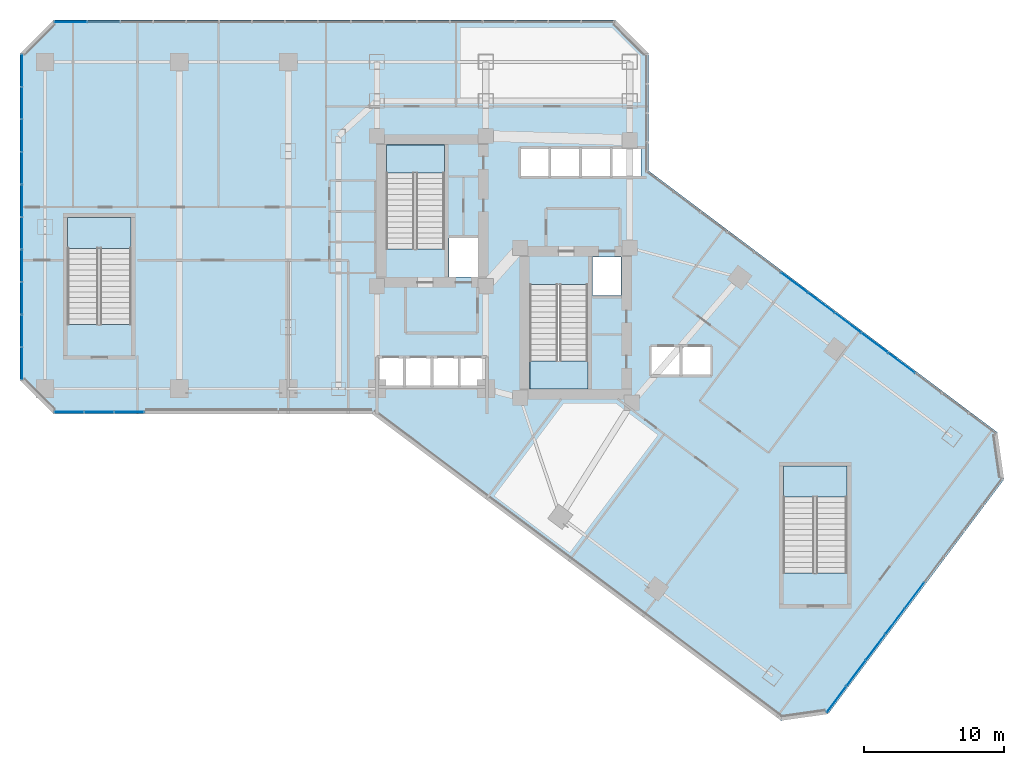
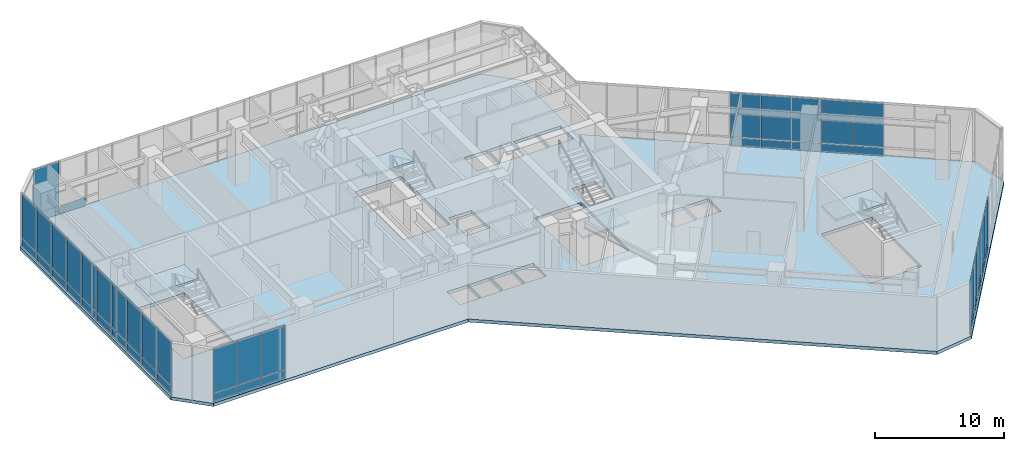
# One storey, part 24 of 35: 49 plates, 5 slabs, 9 elements without a shape of their own.
"""IFC4 building model written with IfcOpenShell, lengths in metres."""

from ifc_helpers import new_model, si_unit, direction, frame, origin, origin_2d, place, context, subcontext, project, spatial, polyline, rectangle, outline, extrude, material, layer, layer_set, type_object, element, aggregate, save


model = new_model("IFC4")

# Units and contexts
model_context = context("Model", 3, precision=1e-05, world=origin(), true_north=direction((0.0, 1.0)))
body_context = subcontext(model_context, "Body", "Model", "MODEL_VIEW")
ifc_project = project(units=[si_unit("LENGTHUNIT", "METRE"), si_unit("AREAUNIT", "SQUARE_METRE"), si_unit("VOLUMEUNIT", "CUBIC_METRE"), si_unit("PLANEANGLEUNIT", "RADIAN"), si_unit("MASSUNIT", "GRAM", prefix="KILO")], contexts=[model_context])

# Site, building, storey
site_placement = place(None, origin())
site = spatial("IfcSite", under=ifc_project, at=site_placement, CompositionType="ELEMENT")
building_placement = place(site_placement, origin())
building = spatial("IfcBuilding", under=site, at=building_placement, Name="Hatsunagi Terrace Concourse", CompositionType="ELEMENT")
storey_placement = place(building_placement, frame((0.0, 0.0, 16.199951171875)))
storey = spatial("IfcBuildingStorey", under=building, at=storey_placement, Name="L04", CompositionType="ELEMENT", Elevation=16.199951171875)

# Curtain wall, plates
ifc_material_1 = material(Name="Anodised Aluminium Alloy 6063-T5", Category="aluminium")
ifc_layer_1 = layer(ifc_material_1, 0.199951171875)
ifc_layer_set_1 = layer_set([ifc_layer_1], Name="PodiumStorefront_CW01")
curtain_wall_type = type_object("IfcCurtainWallType", Name="PodiumStorefront_CW01", PredefinedType="NOTDEFINED", material=ifc_layer_set_1)
curtain_wall_1_placement = place(storey_placement, origin())
curtain_wall_1 = element("IfcCurtainWall", 1, at=curtain_wall_1_placement, inside=storey, type_object=curtain_wall_type, Name="Unitised Curtain Wall CW-01 CW-L04-01", PredefinedType="NOTDEFINED")
ifc_material_2 = material(Name="Warm Terracotta Ceramic Spandrel Panel", Category="masonry")
ifc_layer_2 = layer(ifc_material_2, 0.031982421875)
ifc_layer_set_2 = layer_set([ifc_layer_2], Name="CurtainWallSpandrelPanel_32")
plate_type_1 = type_object("IfcPlateType", Name="CurtainWallSpandrelPanel_32", PredefinedType="SHEET", material=ifc_layer_set_2)
plate_1_placement = place(storey_placement, frame((55.424072265625, 32.806884765625, 0.030029296875), z_axis=(0.0, 0.0, 1.0), x_axis=(0.800007305671, -0.599990258982, 0.0)))
plate_1 = element("IfcPlate", 2, at=plate_1_placement, type_object=plate_type_1, Name="Terracotta Spandrel Panel SPN-01", PredefinedType="SHEET", context=body_context, shape_type="SweptSolid", body=[
    extrude(rectangle(XDim=2.345947265625, YDim=0.031982421875, at=origin_2d()), origin(), (0.0, 0.0, 1.0), 0.7900390625),
])
plate_2_placement = place(storey_placement, frame((57.344970703125, 31.365966796875, 0.030029296875), z_axis=(0.0, 0.0, 1.0), x_axis=(0.800007305671, -0.599990258982, 0.0)))
plate_2 = element("IfcPlate", 3, at=plate_2_placement, type_object=plate_type_1, Name="Terracotta Spandrel Panel SPN-01", PredefinedType="SHEET", context=body_context, shape_type="SweptSolid", body=[
    extrude(rectangle(XDim=2.345947265625, YDim=0.031982421875, at=origin_2d()), origin(), (0.0, 0.0, 1.0), 0.7900390625),
])
plate_3_placement = place(storey_placement, frame((59.26611328125, 29.926025390625, 0.030029296875), z_axis=(0.0, 0.0, 1.0), x_axis=(0.800007305671, -0.599990258982, 0.0)))
plate_3 = element("IfcPlate", 4, at=plate_3_placement, type_object=plate_type_1, Name="Terracotta Spandrel Panel SPN-01", PredefinedType="SHEET", context=body_context, shape_type="SweptSolid", body=[
    extrude(rectangle(XDim=2.345947265625, YDim=0.031982421875, at=origin_2d()), origin(), (0.0, 0.0, 1.0), 0.7900390625),
])
plate_4_placement = place(storey_placement, frame((61.18701171875, 28.485107421875, 0.030029296875), z_axis=(0.0, 0.0, 1.0), x_axis=(0.800007305671, -0.599990258982, 0.0)))
plate_4 = element("IfcPlate", 5, at=plate_4_placement, type_object=plate_type_1, Name="Terracotta Spandrel Panel SPN-01", PredefinedType="SHEET", context=body_context, shape_type="SweptSolid", body=[
    extrude(rectangle(XDim=2.345947265625, YDim=0.031982421875, at=origin_2d()), origin(), (0.0, 0.0, 1.0), 0.7900390625),
])
plate_5_placement = place(storey_placement, frame((63.10693359375, 27.044921875, 0.030029296875), z_axis=(0.0, 0.0, 1.0), x_axis=(0.800007305671, -0.599990258982, 0.0)))
plate_5 = element("IfcPlate", 6, at=plate_5_placement, type_object=plate_type_1, Name="Terracotta Spandrel Panel SPN-01", PredefinedType="SHEET", context=body_context, shape_type="SweptSolid", body=[
    extrude(rectangle(XDim=2.345947265625, YDim=0.031982421875, at=origin_2d()), origin(), (0.0, 0.0, 1.0), 0.7900390625),
])

curtain_wall_2_placement = place(storey_placement, origin())
curtain_wall_2 = element("IfcCurtainWall", 7, at=curtain_wall_2_placement, inside=storey, type_object=curtain_wall_type, Name="Unitised Curtain Wall CW-01 CW-L04-03", PredefinedType="NOTDEFINED")
plate_6_placement = place(storey_placement, frame((64.028076171875, 10.404052734375, 0.030029296875), z_axis=(0.0, 0.0, 1.0), x_axis=(-0.599969314634, -0.800023013105, 0.0)))
plate_6 = element("IfcPlate", 8, at=plate_6_placement, type_object=plate_type_1, Name="Terracotta Spandrel Panel SPN-01", PredefinedType="SHEET", context=body_context, shape_type="SweptSolid", body=[
    extrude(rectangle(XDim=2.264892578125, YDim=0.031982421875, at=origin_2d()), origin(), (0.0, 0.0, 1.0), 0.7900390625),
])
plate_7_placement = place(storey_placement, frame((62.635986328125, 8.548095703125, 0.030029296875), z_axis=(0.0, 0.0, 1.0), x_axis=(-0.599969314634, -0.800023013105, 0.0)))
plate_7 = element("IfcPlate", 9, at=plate_7_placement, type_object=plate_type_1, Name="Terracotta Spandrel Panel SPN-01", PredefinedType="SHEET", context=body_context, shape_type="SweptSolid", body=[
    extrude(rectangle(XDim=2.264892578125, YDim=0.031982421875, at=origin_2d()), origin(), (0.0, 0.0, 1.0), 0.7900390625),
])
plate_8_placement = place(storey_placement, frame((61.243896484375, 6.69091796875, 0.030029296875), z_axis=(0.0, 0.0, 1.0), x_axis=(-0.599969314634, -0.800023013105, 0.0)))
plate_8 = element("IfcPlate", 10, at=plate_8_placement, type_object=plate_type_1, Name="Terracotta Spandrel Panel SPN-01", PredefinedType="SHEET", context=body_context, shape_type="SweptSolid", body=[
    extrude(rectangle(XDim=2.264892578125, YDim=0.031982421875, at=origin_2d()), origin(), (0.0, 0.0, 1.0), 0.7900390625),
])
plate_9_placement = place(storey_placement, frame((59.85107421875, 4.8349609375, 0.030029296875), z_axis=(0.0, 0.0, 1.0), x_axis=(-0.599969314634, -0.800023013105, 0.0)))
plate_9 = element("IfcPlate", 11, at=plate_9_placement, type_object=plate_type_1, Name="Terracotta Spandrel Panel SPN-01", PredefinedType="SHEET", context=body_context, shape_type="SweptSolid", body=[
    extrude(rectangle(XDim=2.264892578125, YDim=0.031982421875, at=origin_2d()), origin(), (0.0, 0.0, 1.0), 0.7900390625),
])
plate_10_placement = place(storey_placement, frame((58.458984375, 2.97802734375, 0.030029296875), z_axis=(0.0, 0.0, 1.0), x_axis=(-0.599969314634, -0.800023013105, 0.0)))
plate_10 = element("IfcPlate", 12, at=plate_10_placement, type_object=plate_type_1, Name="Terracotta Spandrel Panel SPN-01", PredefinedType="SHEET", context=body_context, shape_type="SweptSolid", body=[
    extrude(rectangle(XDim=2.264892578125, YDim=0.031982421875, at=origin_2d()), origin(), (0.0, 0.0, 1.0), 0.7900390625),
])

curtain_wall_3_placement = place(storey_placement, origin())
curtain_wall_3 = element("IfcCurtainWall", 13, at=curtain_wall_3_placement, inside=storey, type_object=curtain_wall_type, Name="Unitised Curtain Wall CW-01 CW-L04-08", PredefinedType="NOTDEFINED")
plate_11_placement = place(storey_placement, frame((7.825927734375, 23.5400390625, 0.030029296875), z_axis=(0.0, 0.0, 1.0), x_axis=(-1.0, 0.0, 0.0)))
plate_11 = element("IfcPlate", 14, at=plate_11_placement, type_object=plate_type_1, Name="Terracotta Spandrel Panel SPN-01", PredefinedType="SHEET", context=body_context, shape_type="SweptSolid", body=[
    extrude(rectangle(XDim=2.092041015625, YDim=0.031982421875, at=origin_2d()), origin(), (0.0, 0.0, 1.0), 0.7900390625),
])
plate_12_placement = place(storey_placement, frame((5.678955078125, 23.5400390625, 0.030029296875), z_axis=(0.0, 0.0, 1.0), x_axis=(-1.0, 0.0, 0.0)))
plate_12 = element("IfcPlate", 15, at=plate_12_placement, type_object=plate_type_1, Name="Terracotta Spandrel Panel SPN-01", PredefinedType="SHEET", context=body_context, shape_type="SweptSolid", body=[
    extrude(rectangle(XDim=2.092041015625, YDim=0.031982421875, at=origin_2d()), origin(), (0.0, 0.0, 1.0), 0.7900390625),
])
plate_13_placement = place(storey_placement, frame((3.531982421875, 23.5400390625, 0.030029296875), z_axis=(0.0, 0.0, 1.0), x_axis=(-1.0, 0.0, 0.0)))
plate_13 = element("IfcPlate", 16, at=plate_13_placement, type_object=plate_type_1, Name="Terracotta Spandrel Panel SPN-01", PredefinedType="SHEET", context=body_context, shape_type="SweptSolid", body=[
    extrude(rectangle(XDim=2.092041015625, YDim=0.031982421875, at=origin_2d()), origin(), (0.0, 0.0, 1.0), 0.7900390625),
])

curtain_wall_4_placement = place(storey_placement, origin())
curtain_wall_4 = element("IfcCurtainWall", 17, at=curtain_wall_4_placement, inside=storey, type_object=curtain_wall_type, Name="Unitised Curtain Wall CW-01 CW-L04-10", PredefinedType="NOTDEFINED")
plate_14_placement = place(storey_placement, frame((0.139892578125, 27.02197265625, 0.030029296875), z_axis=(0.0, 0.0, 1.0), x_axis=(0.0, 1.0, 0.0)))
plate_14 = element("IfcPlate", 18, at=plate_14_placement, type_object=plate_type_1, Name="Terracotta Spandrel Panel SPN-01", PredefinedType="SHEET", context=body_context, shape_type="SweptSolid", body=[
    extrude(rectangle(XDim=2.27294921875, YDim=0.031982421875, at=origin_2d()), origin(), (0.0, 0.0, 1.0), 0.7900390625),
])
plate_15_placement = place(storey_placement, frame((0.139892578125, 29.35107421875, 0.030029296875), z_axis=(0.0, 0.0, 1.0), x_axis=(0.0, 1.0, 0.0)))
plate_15 = element("IfcPlate", 19, at=plate_15_placement, type_object=plate_type_1, Name="Terracotta Spandrel Panel SPN-01", PredefinedType="SHEET", context=body_context, shape_type="SweptSolid", body=[
    extrude(rectangle(XDim=2.27294921875, YDim=0.031982421875, at=origin_2d()), origin(), (0.0, 0.0, 1.0), 0.7900390625),
])
plate_16_placement = place(storey_placement, frame((0.139892578125, 31.678955078125, 0.030029296875), z_axis=(0.0, 0.0, 1.0), x_axis=(0.0, 1.0, 0.0)))
plate_16 = element("IfcPlate", 20, at=plate_16_placement, type_object=plate_type_1, Name="Terracotta Spandrel Panel SPN-01", PredefinedType="SHEET", context=body_context, shape_type="SweptSolid", body=[
    extrude(rectangle(XDim=2.27294921875, YDim=0.031982421875, at=origin_2d()), origin(), (0.0, 0.0, 1.0), 0.7900390625),
])
plate_17_placement = place(storey_placement, frame((0.139892578125, 34.007080078125, 0.030029296875), z_axis=(0.0, 0.0, 1.0), x_axis=(0.0, 1.0, 0.0)))
plate_17 = element("IfcPlate", 21, at=plate_17_placement, type_object=plate_type_1, Name="Terracotta Spandrel Panel SPN-01", PredefinedType="SHEET", context=body_context, shape_type="SweptSolid", body=[
    extrude(rectangle(XDim=2.27294921875, YDim=0.031982421875, at=origin_2d()), origin(), (0.0, 0.0, 1.0), 0.7900390625),
])
plate_18_placement = place(storey_placement, frame((0.139892578125, 36.3359375, 0.030029296875), z_axis=(0.0, 0.0, 1.0), x_axis=(0.0, 1.0, 0.0)))
plate_18 = element("IfcPlate", 22, at=plate_18_placement, type_object=plate_type_1, Name="Terracotta Spandrel Panel SPN-01", PredefinedType="SHEET", context=body_context, shape_type="SweptSolid", body=[
    extrude(rectangle(XDim=2.27294921875, YDim=0.031982421875, at=origin_2d()), origin(), (0.0, 0.0, 1.0), 0.7900390625),
])
plate_19_placement = place(storey_placement, frame((0.139892578125, 38.6640625, 0.030029296875), z_axis=(0.0, 0.0, 1.0), x_axis=(0.0, 1.0, 0.0)))
plate_19 = element("IfcPlate", 23, at=plate_19_placement, type_object=plate_type_1, Name="Terracotta Spandrel Panel SPN-01", PredefinedType="SHEET", context=body_context, shape_type="SweptSolid", body=[
    extrude(rectangle(XDim=2.27294921875, YDim=0.031982421875, at=origin_2d()), origin(), (0.0, 0.0, 1.0), 0.7900390625),
])
plate_20_placement = place(storey_placement, frame((0.139892578125, 40.992919921875, 0.030029296875), z_axis=(0.0, 0.0, 1.0), x_axis=(0.0, 1.0, 0.0)))
plate_20 = element("IfcPlate", 24, at=plate_20_placement, type_object=plate_type_1, Name="Terracotta Spandrel Panel SPN-01", PredefinedType="SHEET", context=body_context, shape_type="SweptSolid", body=[
    extrude(rectangle(XDim=2.27294921875, YDim=0.031982421875, at=origin_2d()), origin(), (0.0, 0.0, 1.0), 0.7900390625),
])
plate_21_placement = place(storey_placement, frame((0.139892578125, 43.321044921875, 0.030029296875), z_axis=(0.0, 0.0, 1.0), x_axis=(0.0, 1.0, 0.0)))
plate_21 = element("IfcPlate", 25, at=plate_21_placement, type_object=plate_type_1, Name="Terracotta Spandrel Panel SPN-01", PredefinedType="SHEET", context=body_context, shape_type="SweptSolid", body=[
    extrude(rectangle(XDim=2.27294921875, YDim=0.031982421875, at=origin_2d()), origin(), (0.0, 0.0, 1.0), 0.7900390625),
])
plate_22_placement = place(storey_placement, frame((0.139892578125, 45.64892578125, 0.030029296875), z_axis=(0.0, 0.0, 1.0), x_axis=(0.0, 1.0, 0.0)))
plate_22 = element("IfcPlate", 26, at=plate_22_placement, type_object=plate_type_1, Name="Terracotta Spandrel Panel SPN-01", PredefinedType="SHEET", context=body_context, shape_type="SweptSolid", body=[
    extrude(rectangle(XDim=2.27294921875, YDim=0.031982421875, at=origin_2d()), origin(), (0.0, 0.0, 1.0), 0.7900390625),
])
plate_23_placement = place(storey_placement, frame((0.139892578125, 47.97802734375, 0.030029296875), z_axis=(0.0, 0.0, 1.0), x_axis=(0.0, 1.0, 0.0)))
plate_23 = element("IfcPlate", 27, at=plate_23_placement, type_object=plate_type_1, Name="Terracotta Spandrel Panel SPN-01", PredefinedType="SHEET", context=body_context, shape_type="SweptSolid", body=[
    extrude(rectangle(XDim=2.27294921875, YDim=0.031982421875, at=origin_2d()), origin(), (0.0, 0.0, 1.0), 0.7900390625),
])

curtain_wall_5_placement = place(storey_placement, origin())
curtain_wall_5 = element("IfcCurtainWall", 28, at=curtain_wall_5_placement, inside=storey, type_object=curtain_wall_type, Name="Unitised Curtain Wall CW-01 CW-L04-12", PredefinedType="NOTDEFINED")
plate_24_placement = place(storey_placement, frame((3.636962890625, 51.4599609375, 0.030029296875), z_axis=(0.0, 0.0, 1.0), x_axis=(1.0, 0.0, 0.0)))
plate_24 = element("IfcPlate", 29, at=plate_24_placement, type_object=plate_type_1, Name="Terracotta Spandrel Panel SPN-01", PredefinedType="SHEET", context=body_context, shape_type="SweptSolid", body=[
    extrude(rectangle(XDim=2.302978515625, YDim=0.031982421875, at=origin_2d()), origin(), (0.0, 0.0, 1.0), 0.7900390625),
])
plate_25_placement = place(storey_placement, frame((5.9951171875, 51.4599609375, 0.030029296875), z_axis=(0.0, 0.0, 1.0), x_axis=(1.0, 0.0, 0.0)))
plate_25 = element("IfcPlate", 30, at=plate_25_placement, type_object=plate_type_1, Name="Terracotta Spandrel Panel SPN-01", PredefinedType="SHEET", context=body_context, shape_type="SweptSolid", body=[
    extrude(rectangle(XDim=2.302978515625, YDim=0.031982421875, at=origin_2d()), origin(), (0.0, 0.0, 1.0), 0.7900390625),
])

# Plate
ifc_material_3 = material(Name="Low-E Double Insulating Glass 28mm", Category="glass")
ifc_layer_3 = layer(ifc_material_3, 0.028076171875)
ifc_layer_set_3 = layer_set([ifc_layer_3], Name="CurtainWallVisionGlass_28")
plate_type_2 = type_object("IfcPlateType", Name="CurtainWallVisionGlass_28", PredefinedType="CURTAIN_PANEL", material=ifc_layer_set_3)
plate_26_placement = place(storey_placement, frame((55.424072265625, 32.806884765625, 0.880126953125), z_axis=(0.0, 0.0, 1.0), x_axis=(0.800007305671, -0.599990258982, 0.0)))
plate_26 = element("IfcPlate", 31, at=plate_26_placement, type_object=plate_type_2, Name="Low-E Vision Glass Panel GLZ-01", PredefinedType="CURTAIN_PANEL", context=body_context, shape_type="SweptSolid", body=[
    extrude(rectangle(XDim=2.345947265625, YDim=0.028076171875, at=origin_2d()), origin(), (0.0, 0.0, 1.0), 4.18994140625),
])

plate_27_placement = place(storey_placement, frame((57.344970703125, 31.365966796875, 0.880126953125), z_axis=(0.0, 0.0, 1.0), x_axis=(0.800007305671, -0.599990258982, 0.0)))
plate_27 = element("IfcPlate", 32, at=plate_27_placement, type_object=plate_type_2, Name="Low-E Vision Glass Panel GLZ-01", PredefinedType="CURTAIN_PANEL", context=body_context, shape_type="SweptSolid", body=[
    extrude(rectangle(XDim=2.345947265625, YDim=0.028076171875, at=origin_2d()), origin(), (0.0, 0.0, 1.0), 4.18994140625),
])

plate_28_placement = place(storey_placement, frame((59.26611328125, 29.926025390625, 0.880126953125), z_axis=(0.0, 0.0, 1.0), x_axis=(0.800007305671, -0.599990258982, 0.0)))
plate_28 = element("IfcPlate", 33, at=plate_28_placement, type_object=plate_type_2, Name="Low-E Vision Glass Panel GLZ-01", PredefinedType="CURTAIN_PANEL", context=body_context, shape_type="SweptSolid", body=[
    extrude(rectangle(XDim=2.345947265625, YDim=0.028076171875, at=origin_2d()), origin(), (0.0, 0.0, 1.0), 4.18994140625),
])

plate_29_placement = place(storey_placement, frame((61.18701171875, 28.485107421875, 0.880126953125), z_axis=(0.0, 0.0, 1.0), x_axis=(0.800007305671, -0.599990258982, 0.0)))
plate_29 = element("IfcPlate", 34, at=plate_29_placement, type_object=plate_type_2, Name="Low-E Vision Glass Panel GLZ-01", PredefinedType="CURTAIN_PANEL", context=body_context, shape_type="SweptSolid", body=[
    extrude(rectangle(XDim=2.345947265625, YDim=0.028076171875, at=origin_2d()), origin(), (0.0, 0.0, 1.0), 4.18994140625),
])

plate_30_placement = place(storey_placement, frame((63.10693359375, 27.044921875, 0.880126953125), z_axis=(0.0, 0.0, 1.0), x_axis=(0.800007305671, -0.599990258982, 0.0)))
plate_30 = element("IfcPlate", 35, at=plate_30_placement, type_object=plate_type_2, Name="Low-E Vision Glass Panel GLZ-01", PredefinedType="CURTAIN_PANEL", context=body_context, shape_type="SweptSolid", body=[
    extrude(rectangle(XDim=2.345947265625, YDim=0.028076171875, at=origin_2d()), origin(), (0.0, 0.0, 1.0), 4.18994140625),
])

aggregate(curtain_wall_1, [plate_1, plate_26, plate_2, plate_27, plate_3, plate_28, plate_4, plate_29, plate_5, plate_30])

plate_31_placement = place(storey_placement, frame((64.028076171875, 10.404052734375, 0.880126953125), z_axis=(0.0, 0.0, 1.0), x_axis=(-0.599969314634, -0.800023013105, 0.0)))
plate_31 = element("IfcPlate", 36, at=plate_31_placement, type_object=plate_type_2, Name="Low-E Vision Glass Panel GLZ-01", PredefinedType="CURTAIN_PANEL", context=body_context, shape_type="SweptSolid", body=[
    extrude(rectangle(XDim=2.264892578125, YDim=0.028076171875, at=origin_2d()), origin(), (0.0, 0.0, 1.0), 4.18994140625),
])

plate_32_placement = place(storey_placement, frame((62.635986328125, 8.548095703125, 0.880126953125), z_axis=(0.0, 0.0, 1.0), x_axis=(-0.599969314634, -0.800023013105, 0.0)))
plate_32 = element("IfcPlate", 37, at=plate_32_placement, type_object=plate_type_2, Name="Low-E Vision Glass Panel GLZ-01", PredefinedType="CURTAIN_PANEL", context=body_context, shape_type="SweptSolid", body=[
    extrude(rectangle(XDim=2.264892578125, YDim=0.028076171875, at=origin_2d()), origin(), (0.0, 0.0, 1.0), 4.18994140625),
])

plate_33_placement = place(storey_placement, frame((61.243896484375, 6.69091796875, 0.880126953125), z_axis=(0.0, 0.0, 1.0), x_axis=(-0.599969314634, -0.800023013105, 0.0)))
plate_33 = element("IfcPlate", 38, at=plate_33_placement, type_object=plate_type_2, Name="Low-E Vision Glass Panel GLZ-01", PredefinedType="CURTAIN_PANEL", context=body_context, shape_type="SweptSolid", body=[
    extrude(rectangle(XDim=2.264892578125, YDim=0.028076171875, at=origin_2d()), origin(), (0.0, 0.0, 1.0), 4.18994140625),
])

plate_34_placement = place(storey_placement, frame((59.85107421875, 4.8349609375, 0.880126953125), z_axis=(0.0, 0.0, 1.0), x_axis=(-0.599969314634, -0.800023013105, 0.0)))
plate_34 = element("IfcPlate", 39, at=plate_34_placement, type_object=plate_type_2, Name="Low-E Vision Glass Panel GLZ-01", PredefinedType="CURTAIN_PANEL", context=body_context, shape_type="SweptSolid", body=[
    extrude(rectangle(XDim=2.264892578125, YDim=0.028076171875, at=origin_2d()), origin(), (0.0, 0.0, 1.0), 4.18994140625),
])

plate_35_placement = place(storey_placement, frame((58.458984375, 2.97802734375, 0.880126953125), z_axis=(0.0, 0.0, 1.0), x_axis=(-0.599969314634, -0.800023013105, 0.0)))
plate_35 = element("IfcPlate", 40, at=plate_35_placement, type_object=plate_type_2, Name="Low-E Vision Glass Panel GLZ-01", PredefinedType="CURTAIN_PANEL", context=body_context, shape_type="SweptSolid", body=[
    extrude(rectangle(XDim=2.264892578125, YDim=0.028076171875, at=origin_2d()), origin(), (0.0, 0.0, 1.0), 4.18994140625),
])

aggregate(curtain_wall_2, [plate_6, plate_31, plate_7, plate_32, plate_8, plate_33, plate_9, plate_34, plate_10, plate_35])

plate_36_placement = place(storey_placement, frame((7.825927734375, 23.5400390625, 0.880126953125), z_axis=(0.0, 0.0, 1.0), x_axis=(-1.0, 0.0, 0.0)))
plate_36 = element("IfcPlate", 41, at=plate_36_placement, type_object=plate_type_2, Name="Low-E Vision Glass Panel GLZ-01", PredefinedType="CURTAIN_PANEL", context=body_context, shape_type="SweptSolid", body=[
    extrude(rectangle(XDim=2.092041015625, YDim=0.028076171875, at=origin_2d()), origin(), (0.0, 0.0, 1.0), 4.18994140625),
])

plate_37_placement = place(storey_placement, frame((5.678955078125, 23.5400390625, 0.880126953125), z_axis=(0.0, 0.0, 1.0), x_axis=(-1.0, 0.0, 0.0)))
plate_37 = element("IfcPlate", 42, at=plate_37_placement, type_object=plate_type_2, Name="Low-E Vision Glass Panel GLZ-01", PredefinedType="CURTAIN_PANEL", context=body_context, shape_type="SweptSolid", body=[
    extrude(rectangle(XDim=2.092041015625, YDim=0.028076171875, at=origin_2d()), origin(), (0.0, 0.0, 1.0), 4.18994140625),
])

plate_38_placement = place(storey_placement, frame((3.531982421875, 23.5400390625, 0.880126953125), z_axis=(0.0, 0.0, 1.0), x_axis=(-1.0, 0.0, 0.0)))
plate_38 = element("IfcPlate", 43, at=plate_38_placement, type_object=plate_type_2, Name="Low-E Vision Glass Panel GLZ-01", PredefinedType="CURTAIN_PANEL", context=body_context, shape_type="SweptSolid", body=[
    extrude(rectangle(XDim=2.092041015625, YDim=0.028076171875, at=origin_2d()), origin(), (0.0, 0.0, 1.0), 4.18994140625),
])

aggregate(curtain_wall_3, [plate_11, plate_36, plate_12, plate_37, plate_13, plate_38])

plate_39_placement = place(storey_placement, frame((0.139892578125, 27.02197265625, 0.880126953125), z_axis=(0.0, 0.0, 1.0), x_axis=(0.0, 1.0, 0.0)))
plate_39 = element("IfcPlate", 44, at=plate_39_placement, type_object=plate_type_2, Name="Low-E Vision Glass Panel GLZ-01", PredefinedType="CURTAIN_PANEL", context=body_context, shape_type="SweptSolid", body=[
    extrude(rectangle(XDim=2.27294921875, YDim=0.028076171875, at=origin_2d()), origin(), (0.0, 0.0, 1.0), 4.18994140625),
])

plate_40_placement = place(storey_placement, frame((0.139892578125, 29.35107421875, 0.880126953125), z_axis=(0.0, 0.0, 1.0), x_axis=(0.0, 1.0, 0.0)))
plate_40 = element("IfcPlate", 45, at=plate_40_placement, type_object=plate_type_2, Name="Low-E Vision Glass Panel GLZ-01", PredefinedType="CURTAIN_PANEL", context=body_context, shape_type="SweptSolid", body=[
    extrude(rectangle(XDim=2.27294921875, YDim=0.028076171875, at=origin_2d()), origin(), (0.0, 0.0, 1.0), 4.18994140625),
])

plate_41_placement = place(storey_placement, frame((0.139892578125, 31.678955078125, 0.880126953125), z_axis=(0.0, 0.0, 1.0), x_axis=(0.0, 1.0, 0.0)))
plate_41 = element("IfcPlate", 46, at=plate_41_placement, type_object=plate_type_2, Name="Low-E Vision Glass Panel GLZ-01", PredefinedType="CURTAIN_PANEL", context=body_context, shape_type="SweptSolid", body=[
    extrude(rectangle(XDim=2.27294921875, YDim=0.028076171875, at=origin_2d()), origin(), (0.0, 0.0, 1.0), 4.18994140625),
])

plate_42_placement = place(storey_placement, frame((0.139892578125, 34.007080078125, 0.880126953125), z_axis=(0.0, 0.0, 1.0), x_axis=(0.0, 1.0, 0.0)))
plate_42 = element("IfcPlate", 47, at=plate_42_placement, type_object=plate_type_2, Name="Low-E Vision Glass Panel GLZ-01", PredefinedType="CURTAIN_PANEL", context=body_context, shape_type="SweptSolid", body=[
    extrude(rectangle(XDim=2.27294921875, YDim=0.028076171875, at=origin_2d()), origin(), (0.0, 0.0, 1.0), 4.18994140625),
])

plate_43_placement = place(storey_placement, frame((0.139892578125, 36.3359375, 0.880126953125), z_axis=(0.0, 0.0, 1.0), x_axis=(0.0, 1.0, 0.0)))
plate_43 = element("IfcPlate", 48, at=plate_43_placement, type_object=plate_type_2, Name="Low-E Vision Glass Panel GLZ-01", PredefinedType="CURTAIN_PANEL", context=body_context, shape_type="SweptSolid", body=[
    extrude(rectangle(XDim=2.27294921875, YDim=0.028076171875, at=origin_2d()), origin(), (0.0, 0.0, 1.0), 4.18994140625),
])

plate_44_placement = place(storey_placement, frame((0.139892578125, 38.6640625, 0.880126953125), z_axis=(0.0, 0.0, 1.0), x_axis=(0.0, 1.0, 0.0)))
plate_44 = element("IfcPlate", 49, at=plate_44_placement, type_object=plate_type_2, Name="Low-E Vision Glass Panel GLZ-01", PredefinedType="CURTAIN_PANEL", context=body_context, shape_type="SweptSolid", body=[
    extrude(rectangle(XDim=2.27294921875, YDim=0.028076171875, at=origin_2d()), origin(), (0.0, 0.0, 1.0), 4.18994140625),
])

plate_45_placement = place(storey_placement, frame((0.139892578125, 40.992919921875, 0.880126953125), z_axis=(0.0, 0.0, 1.0), x_axis=(0.0, 1.0, 0.0)))
plate_45 = element("IfcPlate", 50, at=plate_45_placement, type_object=plate_type_2, Name="Low-E Vision Glass Panel GLZ-01", PredefinedType="CURTAIN_PANEL", context=body_context, shape_type="SweptSolid", body=[
    extrude(rectangle(XDim=2.27294921875, YDim=0.028076171875, at=origin_2d()), origin(), (0.0, 0.0, 1.0), 4.18994140625),
])

plate_46_placement = place(storey_placement, frame((0.139892578125, 43.321044921875, 0.880126953125), z_axis=(0.0, 0.0, 1.0), x_axis=(0.0, 1.0, 0.0)))
plate_46 = element("IfcPlate", 51, at=plate_46_placement, type_object=plate_type_2, Name="Low-E Vision Glass Panel GLZ-01", PredefinedType="CURTAIN_PANEL", context=body_context, shape_type="SweptSolid", body=[
    extrude(rectangle(XDim=2.27294921875, YDim=0.028076171875, at=origin_2d()), origin(), (0.0, 0.0, 1.0), 4.18994140625),
])

plate_47_placement = place(storey_placement, frame((0.139892578125, 45.64892578125, 0.880126953125), z_axis=(0.0, 0.0, 1.0), x_axis=(0.0, 1.0, 0.0)))
plate_47 = element("IfcPlate", 52, at=plate_47_placement, type_object=plate_type_2, Name="Low-E Vision Glass Panel GLZ-01", PredefinedType="CURTAIN_PANEL", context=body_context, shape_type="SweptSolid", body=[
    extrude(rectangle(XDim=2.27294921875, YDim=0.028076171875, at=origin_2d()), origin(), (0.0, 0.0, 1.0), 4.18994140625),
])

plate_48_placement = place(storey_placement, frame((0.139892578125, 47.97802734375, 0.880126953125), z_axis=(0.0, 0.0, 1.0), x_axis=(0.0, 1.0, 0.0)))
plate_48 = element("IfcPlate", 53, at=plate_48_placement, type_object=plate_type_2, Name="Low-E Vision Glass Panel GLZ-01", PredefinedType="CURTAIN_PANEL", context=body_context, shape_type="SweptSolid", body=[
    extrude(rectangle(XDim=2.27294921875, YDim=0.028076171875, at=origin_2d()), origin(), (0.0, 0.0, 1.0), 4.18994140625),
])

aggregate(curtain_wall_4, [plate_14, plate_39, plate_15, plate_40, plate_16, plate_41, plate_17, plate_42, plate_18, plate_43, plate_19, plate_44, plate_20, plate_45, plate_21, plate_46, plate_22, plate_47, plate_23, plate_48])

plate_49_placement = place(storey_placement, frame((3.636962890625, 51.4599609375, 0.880126953125), z_axis=(0.0, 0.0, 1.0), x_axis=(1.0, 0.0, 0.0)))
plate_49 = element("IfcPlate", 54, at=plate_49_placement, type_object=plate_type_2, Name="Low-E Vision Glass Panel GLZ-01", PredefinedType="CURTAIN_PANEL", context=body_context, shape_type="SweptSolid", body=[
    extrude(rectangle(XDim=2.302978515625, YDim=0.028076171875, at=origin_2d()), origin(), (0.0, 0.0, 1.0), 4.18994140625),
])

aggregate(curtain_wall_5, [plate_24, plate_49, plate_25])

# Stair, slab
ifc_material_4 = material(Name="Concrete Fc42", Category="concrete")
stair_type_1 = type_object("IfcStairType", Name="DoglegExitStair_Podium2200_30R_180", PredefinedType="HALF_TURN_STAIR", material=ifc_material_4)
stair_1_placement = place(storey_placement, origin())
stair_1 = element("IfcStair", 55, at=stair_1_placement, inside=storey, type_object=stair_type_1, Name="L04 West Podium Convention Exit Stair ST-P1", PredefinedType="HALF_TURN_STAIR")
ifc_material_5 = material(Name="Concrete Fc42", Category="concrete")
ifc_layer_4 = layer(ifc_material_5, 0.199951171875)
ifc_layer_set_4 = layer_set([ifc_layer_4], Name="DoglegStairLanding_Podium2200")
slab_type_1 = type_object("IfcSlabType", Name="DoglegStairLanding_Podium2200", PredefinedType="LANDING", material=ifc_layer_set_4)
slab_1_placement = place(storey_placement, frame((0.0, 0.0, 2.5)))
slab_1 = element("IfcSlab", 56, at=slab_1_placement, type_object=slab_type_1, Name="ST-P1 landing 1", PredefinedType="LANDING", context=body_context, shape_type="SweptSolid", body=[
    extrude(outline(polyline([(7.949951171875, 35.260009765625), (7.949951171875, 37.4599609375), (3.39990234375, 37.4599609375), (3.39990234375, 35.260009765625), (7.949951171875, 35.260009765625)])), origin(), (0.0, 0.0, 1.0), 0.199951171875),
])
aggregate(stair_1, [slab_1])

stair_2_placement = place(storey_placement, origin())
stair_2 = element("IfcStair", 57, at=stair_2_placement, inside=storey, type_object=stair_type_1, Name="L04 Southeast Podium Ballroom Exit Stair ST-P2", PredefinedType="HALF_TURN_STAIR")
slab_2_placement = place(storey_placement, frame((0.0, 0.0, 2.5)))
slab_2 = element("IfcSlab", 58, at=slab_2_placement, type_object=slab_type_1, Name="ST-P2 landing 1", PredefinedType="LANDING", context=body_context, shape_type="SweptSolid", body=[
    extrude(outline(polyline([(59.199951171875, 17.4599609375), (59.199951171875, 19.659912109375), (54.64990234375, 19.659912109375), (54.64990234375, 17.4599609375), (59.199951171875, 17.4599609375)])), origin(), (0.0, 0.0, 1.0), 0.199951171875),
])
aggregate(stair_2, [slab_2])

ifc_material_6 = material(Name="Concrete Fc42", Category="concrete")
stair_type_2 = type_object("IfcStairType", Name="DoglegExitStair_Tower2000_30R_180", PredefinedType="HALF_TURN_STAIR", material=ifc_material_6)
stair_3_placement = place(storey_placement, origin())
stair_3 = element("IfcStair", 59, at=stair_3_placement, inside=storey, type_object=stair_type_2, Name="L04 Core A Protected Exit Stair ST-A", PredefinedType="HALF_TURN_STAIR")
ifc_material_7 = material(Name="Concrete Fc42", Category="concrete")
ifc_layer_5 = layer(ifc_material_7, 0.199951171875)
ifc_layer_set_5 = layer_set([ifc_layer_5], Name="DoglegStairLanding_Tower2000")
slab_type_2 = type_object("IfcSlabType", Name="DoglegStairLanding_Tower2000", PredefinedType="LANDING", material=ifc_layer_set_5)
slab_3_placement = place(storey_placement, frame((0.0, 0.0, 2.5)))
slab_3 = element("IfcSlab", 60, at=slab_3_placement, type_object=slab_type_2, Name="ST-A landing 1", PredefinedType="LANDING", context=body_context, shape_type="SweptSolid", body=[
    extrude(outline(polyline([(30.3798828125, 40.659912109375), (30.3798828125, 42.659912109375), (26.22998046875, 42.659912109375), (26.22998046875, 40.659912109375), (30.3798828125, 40.659912109375)])), origin(), (0.0, 0.0, 1.0), 0.199951171875),
])
aggregate(stair_3, [slab_3])

stair_4_placement = place(storey_placement, origin())
stair_4 = element("IfcStair", 61, at=stair_4_placement, inside=storey, type_object=stair_type_2, Name="L04 Core B Protected Exit Stair ST-B", PredefinedType="HALF_TURN_STAIR")
slab_4_placement = place(storey_placement, frame((0.0, 0.0, 2.5)))
slab_4 = element("IfcSlab", 62, at=slab_4_placement, type_object=slab_type_2, Name="ST-B landing 1", PredefinedType="LANDING", context=body_context, shape_type="SweptSolid", body=[
    extrude(outline(polyline([(36.5, 27.199951171875), (36.5, 25.199951171875), (40.64990234375, 25.199951171875), (40.64990234375, 27.199951171875), (36.5, 27.199951171875)])), origin(), (0.0, 0.0, 1.0), 0.199951171875),
])
aggregate(stair_4, [slab_4])

# Slab
ifc_material_8 = material(Name="Concrete Fc42", Category="concrete")
ifc_layer_6 = layer(ifc_material_8, 0.300048828125)
ifc_layer_set_6 = layer_set([ifc_layer_6], Name="PodiumTransferSlab_Fc42_300")
slab_type_3 = type_object("IfcSlabType", Name="PodiumTransferSlab_Fc42_300", PredefinedType="FLOOR", material=ifc_layer_set_6)
slab_5_placement = place(storey_placement, frame((0.0, 0.0, -0.300048828125)))
element("IfcSlab", 63, at=slab_5_placement, inside=storey, type_object=slab_type_3, Name="Floor Slab SL-300 L04", PredefinedType="FLOOR", context=body_context, shape_type="SweptSolid", body=[
    extrude(outline(polyline([(45.0, 40.800048828125), (45.0, 49.199951171875), (42.60009765625, 51.60009765625), (2.39990234375, 51.60009765625), (0.0, 49.199951171875), (0.0, 25.800048828125), (2.39990234375, 23.39990234375), (25.199951171875, 23.39990234375), (54.47998046875, 1.43994140625), (57.840087890625, 1.919921875), (70.43994140625, 18.719970703125), (69.9599609375, 22.080078125), (45.0, 40.800048828125)]), holes=[polyline([(26.22998046875, 35.205078125), (30.3798828125, 35.205078125), (30.3798828125, 42.659912109375), (26.22998046875, 42.659912109375), (26.22998046875, 35.205078125)]), polyline([(36.5, 25.199951171875), (40.64990234375, 25.199951171875), (40.64990234375, 32.655029296875), (36.5, 32.655029296875), (36.5, 25.199951171875)]), polyline([(3.39990234375, 29.804931640625), (7.949951171875, 29.804931640625), (7.949951171875, 37.4599609375), (3.39990234375, 37.4599609375), (3.39990234375, 29.804931640625)]), polyline([(54.64990234375, 12.0048828125), (59.199951171875, 12.0048828125), (59.199951171875, 19.659912109375), (54.64990234375, 19.659912109375), (54.64990234375, 12.0048828125)]), polyline([(30.719970703125, 33.219970703125), (32.780029296875, 33.219970703125), (32.780029296875, 35.97998046875), (30.719970703125, 35.97998046875), (30.719970703125, 33.219970703125)]), polyline([(40.97998046875, 31.8798828125), (43.02001953125, 31.8798828125), (43.02001953125, 34.639892578125), (40.97998046875, 34.639892578125), (40.97998046875, 31.8798828125)]), polyline([(25.6201171875, 25.39990234375), (27.47998046875, 25.39990234375), (27.47998046875, 27.39990234375), (25.6201171875, 27.39990234375), (25.6201171875, 25.39990234375)]), polyline([(27.580078125, 25.39990234375), (29.43994140625, 25.39990234375), (29.43994140625, 27.39990234375), (27.580078125, 27.39990234375), (27.580078125, 25.39990234375)]), polyline([(29.5400390625, 25.39990234375), (31.39990234375, 25.39990234375), (31.39990234375, 27.39990234375), (29.5400390625, 27.39990234375), (29.5400390625, 25.39990234375)]), polyline([(31.5, 25.39990234375), (33.360107421875, 25.39990234375), (33.360107421875, 27.39990234375), (31.5, 27.39990234375), (31.5, 25.39990234375)]), polyline([(35.800048828125, 40.39990234375), (37.85009765625, 40.39990234375), (37.85009765625, 42.39990234375), (35.800048828125, 42.39990234375), (35.800048828125, 40.39990234375)]), polyline([(38.0, 40.39990234375), (40.050048828125, 40.39990234375), (40.050048828125, 42.39990234375), (38.0, 42.39990234375), (38.0, 40.39990234375)]), polyline([(40.199951171875, 40.39990234375), (42.25, 40.39990234375), (42.25, 42.39990234375), (40.199951171875, 42.39990234375), (40.199951171875, 40.39990234375)]), polyline([(42.39990234375, 40.39990234375), (44.449951171875, 40.39990234375), (44.449951171875, 42.39990234375), (42.39990234375, 42.39990234375), (42.39990234375, 40.39990234375)]), polyline([(45.199951171875, 26.199951171875), (47.25, 26.199951171875), (47.25, 28.199951171875), (45.199951171875, 28.199951171875), (45.199951171875, 26.199951171875)]), polyline([(47.39990234375, 26.199951171875), (49.449951171875, 26.199951171875), (49.449951171875, 28.199951171875), (47.39990234375, 28.199951171875), (47.39990234375, 26.199951171875)])]), origin(), (0.0, 0.0, 1.0), 0.300048828125),
])

save(model, "model.ifc")
